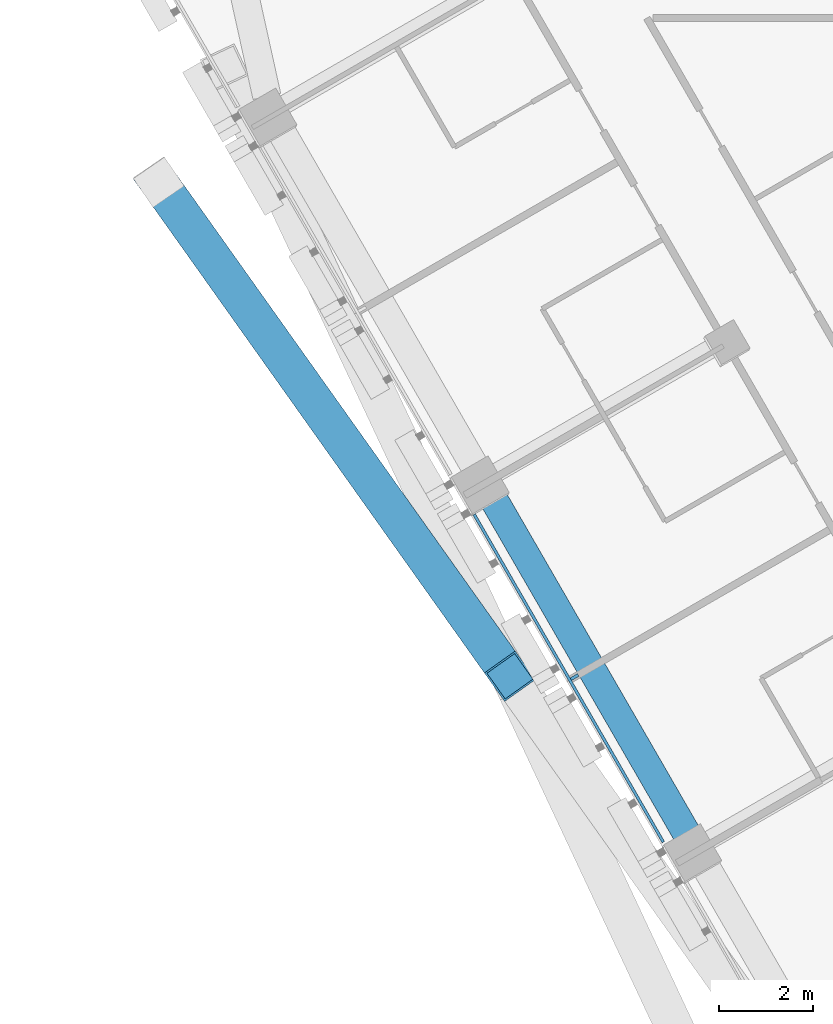
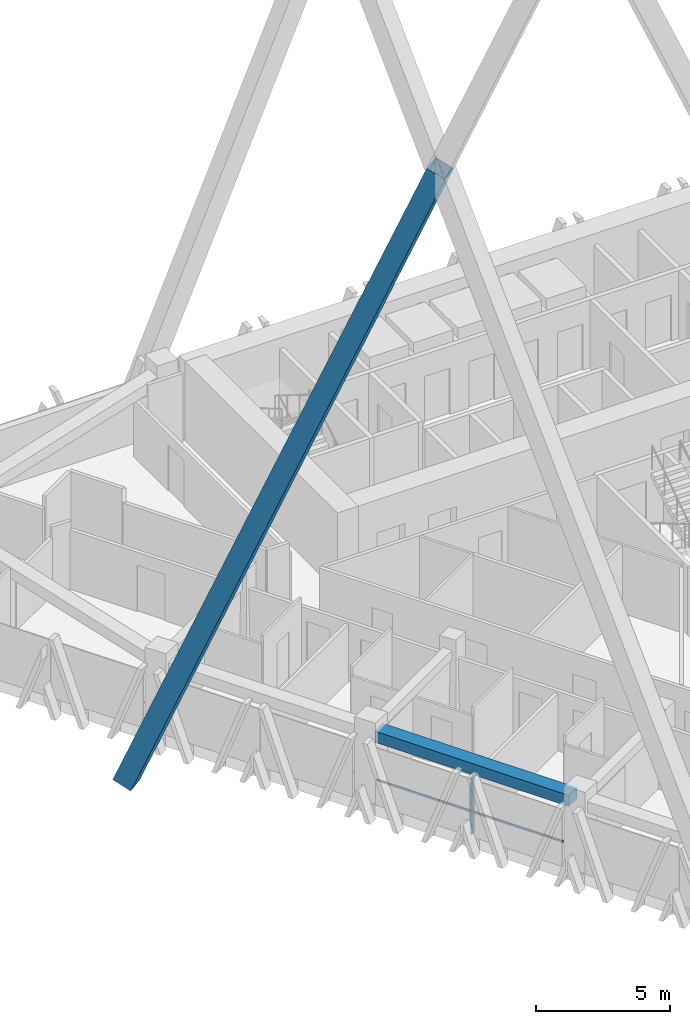
# One storey, part 4 of 23: 3 members, 1 beam, 1 element without a shape of its own.
"""IFC4 building model written with IfcOpenShell, lengths in metres."""

from ifc_helpers import new_model, si_unit, direction, frame, origin, origin_2d, place, context, subcontext, project, spatial, rectangle, hollow_rectangle, extrude, material, layer, layer_set, material_profile, profile_set, type_object, element, aggregate, save


model = new_model("IFC4")

# Units and contexts
model_context = context("Model", 3, precision=1e-05, world=origin(), true_north=direction((0.0, 1.0)))
body_context = subcontext(model_context, "Body", "Model", "MODEL_VIEW")
ifc_project = project(units=[si_unit("LENGTHUNIT", "METRE"), si_unit("AREAUNIT", "SQUARE_METRE"), si_unit("VOLUMEUNIT", "CUBIC_METRE"), si_unit("PLANEANGLEUNIT", "RADIAN"), si_unit("MASSUNIT", "GRAM", prefix="KILO")], contexts=[model_context])

# Site, building, storey
site_placement = place(None, origin())
site = spatial("IfcSite", under=ifc_project, at=site_placement, CompositionType="ELEMENT")
building_placement = place(site_placement, origin())
building = spatial("IfcBuilding", under=site, at=building_placement, Name="Altiplano Prism Tower", CompositionType="ELEMENT")
storey_placement = place(building_placement, frame((0.0, 0.0, 100.800048828125)))
storey = spatial("IfcBuildingStorey", under=building, at=storey_placement, Name="L25", CompositionType="ELEMENT", Elevation=100.800048828125)

# Curtain wall, members
ifc_material_1 = material(Name="Aluminium and glass", Category="aluminium")
ifc_layer = layer(ifc_material_1, 0.280029296875)
ifc_layer_set = layer_set([ifc_layer], Name="Aluminium and glass")
curtain_wall_type = type_object("IfcCurtainWallType", Name="CW1 typical co-living unitised curtain wall", PredefinedType="NOTDEFINED", material=ifc_layer_set)
curtain_wall_placement = place(storey_placement, origin())
curtain_wall = element("IfcCurtainWall", 1, at=curtain_wall_placement, inside=storey, type_object=curtain_wall_type, Name="CW1 curtain wall south-west face L25", PredefinedType="NOTDEFINED")
ifc_material_2 = material(Name="Aluminium", Category="aluminium")
ifc_material_profile_1 = material_profile(ifc_material_2, rectangle(XDim=0.179931640625, YDim=0.06494140625, at=origin_2d()), Name="CW1 mullion 65 x 180")
ifc_profile_set_1 = profile_set([ifc_material_profile_1], Name="Aluminium")
member_type_1 = type_object("IfcMemberType", Name="CW1 mullion 65 x 180", PredefinedType="MULLION", material=ifc_profile_set_1)
member_1_placement = place(storey_placement, frame((68.617919921875, 76.435302734375, 0.0), z_axis=(0.0, 0.0, 1.0), x_axis=(0.866025402825, 0.500000001663, 0.0)))
member_1 = element("IfcMember", 2, at=member_1_placement, type_object=member_type_1, Name="CW1 mullion", PredefinedType="MULLION", context=body_context, shape_type="SweptSolid", body=[
    extrude(rectangle(XDim=0.179931640625, YDim=0.06494140625, at=origin_2d()), origin(), (0.0, 0.0, 1.0), 2.599853515625),
])
ifc_material_profile_2 = material_profile(ifc_material_2, rectangle(XDim=0.06005859375, YDim=0.080078125, at=origin_2d()), Name="CW1 transom 80 x 60")
ifc_profile_set_2 = profile_set([ifc_material_profile_2], Name="Aluminium")
member_type_2 = type_object("IfcMemberType", Name="CW1 transom 80 x 60", PredefinedType="USERDEFINED", material=ifc_profile_set_2)
member_2_placement = place(storey_placement, frame((66.489013671875, 79.882568359375, 1.099853515625), z_axis=(0.499972775009, -0.86604112157, 0.0), x_axis=(0.86604112157, 0.499972775009, 0.0)))
member_2 = element("IfcMember", 3, at=member_2_placement, type_object=member_type_2, Name="CW1 transom", ObjectType="TRANSOM", PredefinedType="USERDEFINED", context=body_context, shape_type="SweptSolid", body=[
    extrude(rectangle(XDim=0.06005859375, YDim=0.080078125, at=origin_2d()), origin(), (0.0, 0.0, 1.0), 8.0205078125),
])
aggregate(curtain_wall, [member_1, member_2])

# Beam
ifc_material_3 = material(Name="Concrete C60/75", Category="concrete")
ifc_material_profile_3 = material_profile(ifc_material_3, rectangle(XDim=0.60009765625, YDim=0.5, at=origin_2d()), Name="Edge beam 600x500")
ifc_profile_set_3 = profile_set([ifc_material_profile_3], Name="Concrete C60/75")
beam_type = type_object("IfcBeamType", Name="Edge beam 600x500", PredefinedType="SPANDREL", material=ifc_profile_set_3)
beam_placement = place(storey_placement, frame((66.837890625, 80.315185546875, 2.849853515625), z_axis=(0.500014701701, -0.866016915587, 0.0), x_axis=(0.866016915587, 0.500014701701, 0.0)))
element("IfcBeam", 4, at=beam_placement, inside=storey, type_object=beam_type, Name="Edge beam P12-P13 L26", PredefinedType="SPANDREL", context=body_context, shape_type="SweptSolid", body=[
    extrude(rectangle(XDim=0.60009765625, YDim=0.5, at=origin_2d()), origin(), (0.0, 0.0, 1.0), 8.340087890625),
])

# Member
ifc_material_4 = material(Name="Steel S355", Category="steel")
ifc_material_profile_4 = material_profile(ifc_material_4, hollow_rectangle(XDim=0.800048828125, YDim=0.800048828125, WallThickness=0.0400390625, at=origin_2d()), Name="Mega brace Box 800x800x40")
ifc_profile_set_4 = profile_set([ifc_material_profile_4], Name="Steel S355")
member_type_3 = type_object("IfcMemberType", Name="Mega brace Box 800x800x40", PredefinedType="BRACE", material=ifc_profile_set_4)
member_3_placement = place(storey_placement, frame((59.806640625, 86.919189453125, -0.81298828125), z_axis=(0.218817847434, -0.307790897182, 0.925950059807), x_axis=(0.815024951692, 0.579425860762, 0.0)))
element("IfcMember", 5, at=member_3_placement, inside=storey, type_object=member_type_3, Name="Mega brace 3.1.1", PredefinedType="BRACE", context=body_context, shape_type="SweptSolid", body=[
    extrude(hollow_rectangle(XDim=0.800048828125, YDim=0.800048828125, WallThickness=0.0400390625, at=origin_2d()), origin(), (0.0, 0.0, 1.0), 34.006103515625),
])

save(model, "model.ifc")
